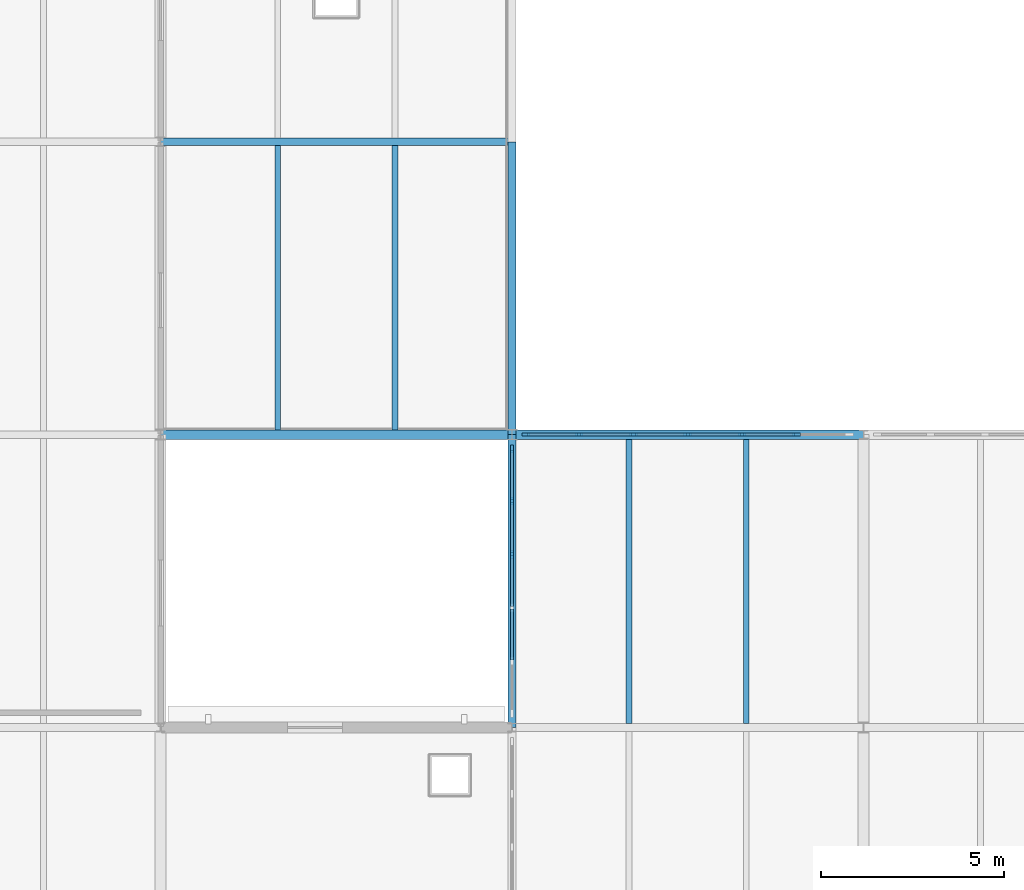
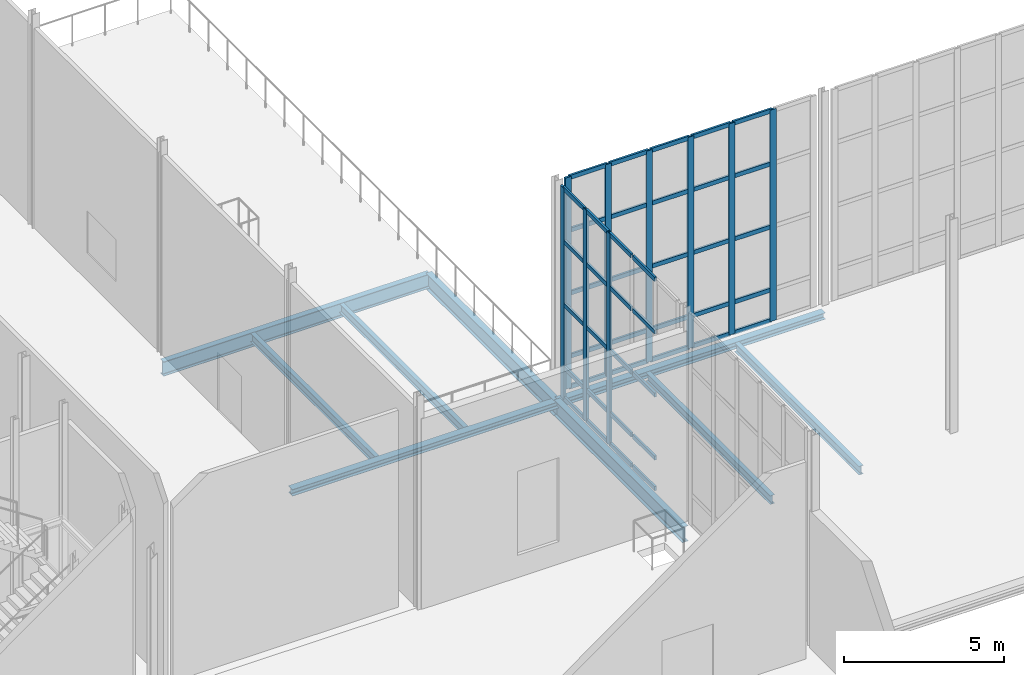
# One storey, part 20 of 73: 54 members, 9 beams, 2 elements without a shape of their own.
"""IFC4 building model written with IfcOpenShell, lengths in metres."""

from ifc_helpers import new_model, si_unit, direction, frame, origin, origin_2d, place, context, subcontext, project, spatial, rectangle, i_section, extrude, material, layer, layer_set, material_profile, profile_set, type_object, element, aggregate, save


model = new_model("IFC4")

# Units and contexts
model_context = context("Model", 3, precision=1e-05, world=origin(), true_north=direction((0.0, 1.0)))
body_context = subcontext(model_context, "Body", "Model", "MODEL_VIEW")
ifc_project = project(units=[si_unit("LENGTHUNIT", "METRE"), si_unit("AREAUNIT", "SQUARE_METRE"), si_unit("VOLUMEUNIT", "CUBIC_METRE"), si_unit("PLANEANGLEUNIT", "RADIAN"), si_unit("MASSUNIT", "GRAM", prefix="KILO")], contexts=[model_context])

# Site, building, storey
site_placement = place(None, origin())
site = spatial("IfcSite", under=ifc_project, at=site_placement, CompositionType="ELEMENT")
building_placement = place(site_placement, origin())
building = spatial("IfcBuilding", under=site, at=building_placement, Name="Alderhovde Museum", CompositionType="ELEMENT")
storey_placement = place(building_placement, frame((0.0, 0.0, 17.39990234375)))
storey = spatial("IfcBuildingStorey", under=building, at=storey_placement, Name="L04", CompositionType="ELEMENT", Elevation=17.39990234375)

# Beams
ifc_material_1 = material(Name="Steel S355J2", Category="steel")
ifc_material_profile_1 = material_profile(ifc_material_1, i_section(OverallWidth=0.2099609375, OverallDepth=0.550048828125, WebThickness=0.010986328125, FlangeThickness=0.01708984375, FilletRadius=0.02392578125, at=origin_2d()), Name="IPE 550")
ifc_profile_set_1 = profile_set([ifc_material_profile_1], Name="Steel S355J2")
beam_type_1 = type_object("IfcBeamType", Name="BM-IPE550", PredefinedType="BEAM", material=ifc_profile_set_1)
beam_1_placement = place(storey_placement, frame((48.0, 96.0, -0.574951171875), z_axis=(1.0, 0.0, 0.0), x_axis=(0.0, 1.0, 0.0)))
element("IfcBeam", 1, at=beam_1_placement, inside=storey, type_object=beam_type_1, Name="L04 Grid Beam Y=96.0 (48.0 TO 57.6)", PredefinedType="BEAM", context=body_context, shape_type="SweptSolid", body=[
    extrude(i_section(OverallWidth=0.2099609375, OverallDepth=0.550048828125, WebThickness=0.010986328125, FlangeThickness=0.01708984375, FilletRadius=0.02392578125, at=origin_2d()), origin(), (0.0, 0.0, 1.0), 9.60009765625),
])
ifc_material_2 = material(Name="Steel S355J2", Category="steel")
ifc_material_profile_2 = material_profile(ifc_material_2, i_section(OverallWidth=0.219970703125, OverallDepth=0.60009765625, WebThickness=0.011962890625, FlangeThickness=0.01904296875, FilletRadius=0.02392578125, at=origin_2d()), Name="IPE 600")
ifc_profile_set_2 = profile_set([ifc_material_profile_2], Name="Steel S355J2")
beam_type_2 = type_object("IfcBeamType", Name="BM-IPE600", PredefinedType="BEAM", material=ifc_profile_set_2)
for number, where, z_axis, x_axis, name in (
    (2, (57.60009765625, 80.0, -0.579833984375), (0.0, 1.0, 0.0), (-1.0, 0.0, 0.0), "L04 Grid Beam X=57.6 (80.0 TO 88.0)"),
    (3, (57.60009765625, 88.0, -0.599853515625), (0.0, 1.0, 0.0), (-1.0, 0.0, 0.0), "L04 Grid Beam X=57.6 (88.0 TO 96.0)"),
):
    element("IfcBeam", number, at=place(storey_placement, frame(where, z_axis=z_axis, x_axis=x_axis)), inside=storey, type_object=beam_type_2, Name=name, PredefinedType="BEAM", context=body_context, shape_type="SweptSolid", body=[
        extrude(i_section(OverallWidth=0.219970703125, OverallDepth=0.60009765625, WebThickness=0.011962890625, FlangeThickness=0.01904296875, FilletRadius=0.02392578125, at=origin_2d()), origin(), (0.0, 0.0, 1.0), 8.0),
    ])

# Curtain wall, members
ifc_material_3 = material(Name="Triple-Glazed Bronze-Anodised Curtain Wall", Category="glass")
ifc_layer_1 = layer(ifc_material_3, 0.219970703125)
ifc_layer_set_1 = layer_set([ifc_layer_1], Name="Triple-Glazed Bronze-Anodised Curtain Wall")
curtain_wall_type_1 = type_object("IfcCurtainWallType", Name="CW-UNIT-890x805", PredefinedType="USERDEFINED", material=ifc_layer_set_1)
curtain_wall_1_placement = place(storey_placement, origin())
curtain_wall_1 = element("IfcCurtainWall", 4, at=curtain_wall_1_placement, inside=storey, type_object=curtain_wall_type_1, Name="L04 Unitised Curtain Wall 78", ObjectType="UNITISED CURTAIN WALL", PredefinedType="USERDEFINED")
ifc_material_4 = material(Name="Bronze-Anodised Aluminium EN AW-6063-T6", Category="aluminium")
ifc_material_profile_3 = material_profile(ifc_material_4, rectangle(XDim=0.074951171875, YDim=0.219970703125, at=origin_2d()), Name="MULLION 75x220")
ifc_profile_set_3 = profile_set([ifc_material_profile_3], Name="Bronze-Anodised Aluminium EN AW-6063-T6")
member_type_1 = type_object("IfcMemberType", Name="CWM-75x220", PredefinedType="MULLION", material=ifc_profile_set_3)
member_1_placement = place(storey_placement, frame((57.987548828125, 88.0, 0.0), z_axis=(0.0, 0.0, 1.0), x_axis=(0.0, 1.0, 0.0)))
member_1 = element("IfcMember", 5, at=member_1_placement, type_object=member_type_1, Name="CW21 mullion 1", PredefinedType="MULLION", context=body_context, shape_type="SweptSolid", body=[
    extrude(rectangle(XDim=0.074951171875, YDim=0.219970703125, at=origin_2d()), origin(), (0.0, 0.0, 1.0), 8.050048828125),
])
member_2_placement = place(storey_placement, frame((59.433349609375, 88.0, 0.0), z_axis=(0.0, 0.0, 1.0), x_axis=(0.0, 1.0, 0.0)))
member_2 = element("IfcMember", 6, at=member_2_placement, type_object=member_type_1, Name="CW21 mullion 2", PredefinedType="MULLION", context=body_context, shape_type="SweptSolid", body=[
    extrude(rectangle(XDim=0.074951171875, YDim=0.219970703125, at=origin_2d()), origin(), (0.0, 0.0, 1.0), 8.050048828125),
])
member_3_placement = place(storey_placement, frame((60.916748046875, 88.0, 0.0), z_axis=(0.0, 0.0, 1.0), x_axis=(0.0, 1.0, 0.0)))
member_3 = element("IfcMember", 7, at=member_3_placement, type_object=member_type_1, Name="CW21 mullion 3", PredefinedType="MULLION", context=body_context, shape_type="SweptSolid", body=[
    extrude(rectangle(XDim=0.074951171875, YDim=0.219970703125, at=origin_2d()), origin(), (0.0, 0.0, 1.0), 8.050048828125),
])
member_4_placement = place(storey_placement, frame((62.39990234375, 88.0, 0.0), z_axis=(0.0, 0.0, 1.0), x_axis=(0.0, 1.0, 0.0)))
member_4 = element("IfcMember", 8, at=member_4_placement, type_object=member_type_1, Name="CW21 mullion 4", PredefinedType="MULLION", context=body_context, shape_type="SweptSolid", body=[
    extrude(rectangle(XDim=0.074951171875, YDim=0.219970703125, at=origin_2d()), origin(), (0.0, 0.0, 1.0), 8.050048828125),
])
member_5_placement = place(storey_placement, frame((63.88330078125, 88.0, 0.0), z_axis=(0.0, 0.0, 1.0), x_axis=(0.0, 1.0, 0.0)))
member_5 = element("IfcMember", 9, at=member_5_placement, type_object=member_type_1, Name="CW21 mullion 5", PredefinedType="MULLION", context=body_context, shape_type="SweptSolid", body=[
    extrude(rectangle(XDim=0.074951171875, YDim=0.219970703125, at=origin_2d()), origin(), (0.0, 0.0, 1.0), 8.050048828125),
])
member_6_placement = place(storey_placement, frame((65.36669921875, 88.0, 0.0), z_axis=(0.0, 0.0, 1.0), x_axis=(0.0, 1.0, 0.0)))
member_6 = element("IfcMember", 10, at=member_6_placement, type_object=member_type_1, Name="CW21 mullion 6", PredefinedType="MULLION", context=body_context, shape_type="SweptSolid", body=[
    extrude(rectangle(XDim=0.074951171875, YDim=0.219970703125, at=origin_2d()), origin(), (0.0, 0.0, 1.0), 8.050048828125),
])

ifc_material_5 = material(Name="Triple-Glazed Bronze-Anodised Curtain Wall", Category="glass")
ifc_layer_2 = layer(ifc_material_5, 0.219970703125)
ifc_layer_set_2 = layer_set([ifc_layer_2], Name="Triple-Glazed Bronze-Anodised Curtain Wall")
curtain_wall_type_2 = type_object("IfcCurtainWallType", Name="CW-STIC-730x805", PredefinedType="USERDEFINED", material=ifc_layer_set_2)
curtain_wall_2_placement = place(storey_placement, origin())
curtain_wall_2 = element("IfcCurtainWall", 11, at=curtain_wall_2_placement, inside=storey, type_object=curtain_wall_type_2, Name="L04 Stick Curtain Wall 90", ObjectType="STICK CURTAIN WALL", PredefinedType="USERDEFINED")
member_7_placement = place(storey_placement, frame((57.60009765625, 84.72998046875, 0.0), z_axis=(0.0, 0.0, 1.0), x_axis=(-1.0, 0.0, 0.0)))
member_7 = element("IfcMember", 12, at=member_7_placement, type_object=member_type_1, Name="CW23 mullion 4", PredefinedType="MULLION", context=body_context, shape_type="SweptSolid", body=[
    extrude(rectangle(XDim=0.074951171875, YDim=0.219970703125, at=origin_2d()), origin(), (0.0, 0.0, 1.0), 8.050048828125),
])
member_8_placement = place(storey_placement, frame((57.60009765625, 86.18994140625, 0.0), z_axis=(0.0, 0.0, 1.0), x_axis=(-1.0, 0.0, 0.0)))
member_8 = element("IfcMember", 13, at=member_8_placement, type_object=member_type_1, Name="CW23 mullion 5", PredefinedType="MULLION", context=body_context, shape_type="SweptSolid", body=[
    extrude(rectangle(XDim=0.074951171875, YDim=0.219970703125, at=origin_2d()), origin(), (0.0, 0.0, 1.0), 8.050048828125),
])
member_9_placement = place(storey_placement, frame((57.60009765625, 87.612548828125, 0.0), z_axis=(0.0, 0.0, 1.0), x_axis=(-1.0, 0.0, 0.0)))
member_9 = element("IfcMember", 14, at=member_9_placement, type_object=member_type_1, Name="CW23 mullion 6", PredefinedType="MULLION", context=body_context, shape_type="SweptSolid", body=[
    extrude(rectangle(XDim=0.074951171875, YDim=0.219970703125, at=origin_2d()), origin(), (0.0, 0.0, 1.0), 8.050048828125),
])

# Member
ifc_material_6 = material(Name="Bronze-Anodised Aluminium EN AW-6063-T6", Category="aluminium")
ifc_material_profile_4 = material_profile(ifc_material_6, rectangle(XDim=0.074951171875, YDim=0.159912109375, at=origin_2d()), Name="TRANSOM 75x160")
ifc_profile_set_4 = profile_set([ifc_material_profile_4], Name="Bronze-Anodised Aluminium EN AW-6063-T6")
member_type_2 = type_object("IfcMemberType", Name="CWT-75x160", PredefinedType="USERDEFINED", material=ifc_profile_set_4)
member_10_placement = place(storey_placement, frame((58.02490234375, 88.0, 0.03759765625), z_axis=(1.0, 0.0, 0.0), x_axis=(0.0, 1.0, 0.0)))
member_10 = element("IfcMember", 15, at=member_10_placement, type_object=member_type_2, Name="CW21 transom 1.1", ObjectType="TRANSOM", PredefinedType="USERDEFINED", context=body_context, shape_type="SweptSolid", body=[
    extrude(rectangle(XDim=0.074951171875, YDim=0.159912109375, at=origin_2d()), origin(), (0.0, 0.0, 1.0), 1.370849609375),
])

member_11_placement = place(storey_placement, frame((58.02490234375, 88.0, 1.2001953125), z_axis=(1.0, 0.0, 0.0), x_axis=(0.0, 1.0, 0.0)))
member_11 = element("IfcMember", 16, at=member_11_placement, type_object=member_type_2, Name="CW21 transom 1.2", ObjectType="TRANSOM", PredefinedType="USERDEFINED", context=body_context, shape_type="SweptSolid", body=[
    extrude(rectangle(XDim=0.074951171875, YDim=0.159912109375, at=origin_2d()), origin(), (0.0, 0.0, 1.0), 1.370849609375),
])

member_12_placement = place(storey_placement, frame((58.02490234375, 88.0, 3.60009765625), z_axis=(1.0, 0.0, 0.0), x_axis=(0.0, 1.0, 0.0)))
member_12 = element("IfcMember", 17, at=member_12_placement, type_object=member_type_2, Name="CW21 transom 1.3", ObjectType="TRANSOM", PredefinedType="USERDEFINED", context=body_context, shape_type="SweptSolid", body=[
    extrude(rectangle(XDim=0.074951171875, YDim=0.159912109375, at=origin_2d()), origin(), (0.0, 0.0, 1.0), 1.370849609375),
])

member_13_placement = place(storey_placement, frame((58.02490234375, 88.0, 6.0), z_axis=(1.0, 0.0, 0.0), x_axis=(0.0, 1.0, 0.0)))
member_13 = element("IfcMember", 18, at=member_13_placement, type_object=member_type_2, Name="CW21 transom 1.4", ObjectType="TRANSOM", PredefinedType="USERDEFINED", context=body_context, shape_type="SweptSolid", body=[
    extrude(rectangle(XDim=0.074951171875, YDim=0.159912109375, at=origin_2d()), origin(), (0.0, 0.0, 1.0), 1.370849609375),
])

member_14_placement = place(storey_placement, frame((58.02490234375, 88.0, 8.0126953125), z_axis=(1.0, 0.0, 0.0), x_axis=(0.0, 1.0, 0.0)))
member_14 = element("IfcMember", 19, at=member_14_placement, type_object=member_type_2, Name="CW21 transom 1.5", ObjectType="TRANSOM", PredefinedType="USERDEFINED", context=body_context, shape_type="SweptSolid", body=[
    extrude(rectangle(XDim=0.074951171875, YDim=0.159912109375, at=origin_2d()), origin(), (0.0, 0.0, 1.0), 1.370849609375),
])

member_15_placement = place(storey_placement, frame((59.470947265625, 88.0, 0.03759765625), z_axis=(1.0, 0.0, 0.0), x_axis=(0.0, 1.0, 0.0)))
member_15 = element("IfcMember", 20, at=member_15_placement, type_object=member_type_2, Name="CW21 transom 2.1", ObjectType="TRANSOM", PredefinedType="USERDEFINED", context=body_context, shape_type="SweptSolid", body=[
    extrude(rectangle(XDim=0.074951171875, YDim=0.159912109375, at=origin_2d()), origin(), (0.0, 0.0, 1.0), 1.408203125),
])

member_16_placement = place(storey_placement, frame((59.470947265625, 88.0, 1.2001953125), z_axis=(1.0, 0.0, 0.0), x_axis=(0.0, 1.0, 0.0)))
member_16 = element("IfcMember", 21, at=member_16_placement, type_object=member_type_2, Name="CW21 transom 2.2", ObjectType="TRANSOM", PredefinedType="USERDEFINED", context=body_context, shape_type="SweptSolid", body=[
    extrude(rectangle(XDim=0.074951171875, YDim=0.159912109375, at=origin_2d()), origin(), (0.0, 0.0, 1.0), 1.408203125),
])

member_17_placement = place(storey_placement, frame((59.470947265625, 88.0, 3.60009765625), z_axis=(1.0, 0.0, 0.0), x_axis=(0.0, 1.0, 0.0)))
member_17 = element("IfcMember", 22, at=member_17_placement, type_object=member_type_2, Name="CW21 transom 2.3", ObjectType="TRANSOM", PredefinedType="USERDEFINED", context=body_context, shape_type="SweptSolid", body=[
    extrude(rectangle(XDim=0.074951171875, YDim=0.159912109375, at=origin_2d()), origin(), (0.0, 0.0, 1.0), 1.408203125),
])

member_18_placement = place(storey_placement, frame((59.470947265625, 88.0, 6.0), z_axis=(1.0, 0.0, 0.0), x_axis=(0.0, 1.0, 0.0)))
member_18 = element("IfcMember", 23, at=member_18_placement, type_object=member_type_2, Name="CW21 transom 2.4", ObjectType="TRANSOM", PredefinedType="USERDEFINED", context=body_context, shape_type="SweptSolid", body=[
    extrude(rectangle(XDim=0.074951171875, YDim=0.159912109375, at=origin_2d()), origin(), (0.0, 0.0, 1.0), 1.408203125),
])

member_19_placement = place(storey_placement, frame((59.470947265625, 88.0, 8.0126953125), z_axis=(1.0, 0.0, 0.0), x_axis=(0.0, 1.0, 0.0)))
member_19 = element("IfcMember", 24, at=member_19_placement, type_object=member_type_2, Name="CW21 transom 2.5", ObjectType="TRANSOM", PredefinedType="USERDEFINED", context=body_context, shape_type="SweptSolid", body=[
    extrude(rectangle(XDim=0.074951171875, YDim=0.159912109375, at=origin_2d()), origin(), (0.0, 0.0, 1.0), 1.408203125),
])

member_20_placement = place(storey_placement, frame((60.9541015625, 88.0, 0.03759765625), z_axis=(1.0, 0.0, 0.0), x_axis=(0.0, 1.0, 0.0)))
member_20 = element("IfcMember", 25, at=member_20_placement, type_object=member_type_2, Name="CW21 transom 3.1", ObjectType="TRANSOM", PredefinedType="USERDEFINED", context=body_context, shape_type="SweptSolid", body=[
    extrude(rectangle(XDim=0.074951171875, YDim=0.159912109375, at=origin_2d()), origin(), (0.0, 0.0, 1.0), 1.408447265625),
])

member_21_placement = place(storey_placement, frame((60.9541015625, 88.0, 1.2001953125), z_axis=(1.0, 0.0, 0.0), x_axis=(0.0, 1.0, 0.0)))
member_21 = element("IfcMember", 26, at=member_21_placement, type_object=member_type_2, Name="CW21 transom 3.2", ObjectType="TRANSOM", PredefinedType="USERDEFINED", context=body_context, shape_type="SweptSolid", body=[
    extrude(rectangle(XDim=0.074951171875, YDim=0.159912109375, at=origin_2d()), origin(), (0.0, 0.0, 1.0), 1.408447265625),
])

member_22_placement = place(storey_placement, frame((60.9541015625, 88.0, 3.60009765625), z_axis=(1.0, 0.0, 0.0), x_axis=(0.0, 1.0, 0.0)))
member_22 = element("IfcMember", 27, at=member_22_placement, type_object=member_type_2, Name="CW21 transom 3.3", ObjectType="TRANSOM", PredefinedType="USERDEFINED", context=body_context, shape_type="SweptSolid", body=[
    extrude(rectangle(XDim=0.074951171875, YDim=0.159912109375, at=origin_2d()), origin(), (0.0, 0.0, 1.0), 1.408447265625),
])

member_23_placement = place(storey_placement, frame((60.9541015625, 88.0, 6.0), z_axis=(1.0, 0.0, 0.0), x_axis=(0.0, 1.0, 0.0)))
member_23 = element("IfcMember", 28, at=member_23_placement, type_object=member_type_2, Name="CW21 transom 3.4", ObjectType="TRANSOM", PredefinedType="USERDEFINED", context=body_context, shape_type="SweptSolid", body=[
    extrude(rectangle(XDim=0.074951171875, YDim=0.159912109375, at=origin_2d()), origin(), (0.0, 0.0, 1.0), 1.408447265625),
])

member_24_placement = place(storey_placement, frame((60.9541015625, 88.0, 8.0126953125), z_axis=(1.0, 0.0, 0.0), x_axis=(0.0, 1.0, 0.0)))
member_24 = element("IfcMember", 29, at=member_24_placement, type_object=member_type_2, Name="CW21 transom 3.5", ObjectType="TRANSOM", PredefinedType="USERDEFINED", context=body_context, shape_type="SweptSolid", body=[
    extrude(rectangle(XDim=0.074951171875, YDim=0.159912109375, at=origin_2d()), origin(), (0.0, 0.0, 1.0), 1.408447265625),
])

member_25_placement = place(storey_placement, frame((62.4375, 88.0, 0.03759765625), z_axis=(1.0, 0.0, 0.0), x_axis=(0.0, 1.0, 0.0)))
member_25 = element("IfcMember", 30, at=member_25_placement, type_object=member_type_2, Name="CW21 transom 4.1", ObjectType="TRANSOM", PredefinedType="USERDEFINED", context=body_context, shape_type="SweptSolid", body=[
    extrude(rectangle(XDim=0.074951171875, YDim=0.159912109375, at=origin_2d()), origin(), (0.0, 0.0, 1.0), 1.408447265625),
])

member_26_placement = place(storey_placement, frame((62.4375, 88.0, 1.2001953125), z_axis=(1.0, 0.0, 0.0), x_axis=(0.0, 1.0, 0.0)))
member_26 = element("IfcMember", 31, at=member_26_placement, type_object=member_type_2, Name="CW21 transom 4.2", ObjectType="TRANSOM", PredefinedType="USERDEFINED", context=body_context, shape_type="SweptSolid", body=[
    extrude(rectangle(XDim=0.074951171875, YDim=0.159912109375, at=origin_2d()), origin(), (0.0, 0.0, 1.0), 1.408447265625),
])

member_27_placement = place(storey_placement, frame((62.4375, 88.0, 3.60009765625), z_axis=(1.0, 0.0, 0.0), x_axis=(0.0, 1.0, 0.0)))
member_27 = element("IfcMember", 32, at=member_27_placement, type_object=member_type_2, Name="CW21 transom 4.3", ObjectType="TRANSOM", PredefinedType="USERDEFINED", context=body_context, shape_type="SweptSolid", body=[
    extrude(rectangle(XDim=0.074951171875, YDim=0.159912109375, at=origin_2d()), origin(), (0.0, 0.0, 1.0), 1.408447265625),
])

member_28_placement = place(storey_placement, frame((62.4375, 88.0, 6.0), z_axis=(1.0, 0.0, 0.0), x_axis=(0.0, 1.0, 0.0)))
member_28 = element("IfcMember", 33, at=member_28_placement, type_object=member_type_2, Name="CW21 transom 4.4", ObjectType="TRANSOM", PredefinedType="USERDEFINED", context=body_context, shape_type="SweptSolid", body=[
    extrude(rectangle(XDim=0.074951171875, YDim=0.159912109375, at=origin_2d()), origin(), (0.0, 0.0, 1.0), 1.408447265625),
])

member_29_placement = place(storey_placement, frame((62.4375, 88.0, 8.0126953125), z_axis=(1.0, 0.0, 0.0), x_axis=(0.0, 1.0, 0.0)))
member_29 = element("IfcMember", 34, at=member_29_placement, type_object=member_type_2, Name="CW21 transom 4.5", ObjectType="TRANSOM", PredefinedType="USERDEFINED", context=body_context, shape_type="SweptSolid", body=[
    extrude(rectangle(XDim=0.074951171875, YDim=0.159912109375, at=origin_2d()), origin(), (0.0, 0.0, 1.0), 1.408447265625),
])

member_30_placement = place(storey_placement, frame((63.9208984375, 88.0, 0.03759765625), z_axis=(1.0, 0.0, 0.0), x_axis=(0.0, 1.0, 0.0)))
member_30 = element("IfcMember", 35, at=member_30_placement, type_object=member_type_2, Name="CW21 transom 5.1", ObjectType="TRANSOM", PredefinedType="USERDEFINED", context=body_context, shape_type="SweptSolid", body=[
    extrude(rectangle(XDim=0.074951171875, YDim=0.159912109375, at=origin_2d()), origin(), (0.0, 0.0, 1.0), 1.408203125),
])

member_31_placement = place(storey_placement, frame((63.9208984375, 88.0, 1.2001953125), z_axis=(1.0, 0.0, 0.0), x_axis=(0.0, 1.0, 0.0)))
member_31 = element("IfcMember", 36, at=member_31_placement, type_object=member_type_2, Name="CW21 transom 5.2", ObjectType="TRANSOM", PredefinedType="USERDEFINED", context=body_context, shape_type="SweptSolid", body=[
    extrude(rectangle(XDim=0.074951171875, YDim=0.159912109375, at=origin_2d()), origin(), (0.0, 0.0, 1.0), 1.408203125),
])

member_32_placement = place(storey_placement, frame((63.9208984375, 88.0, 3.60009765625), z_axis=(1.0, 0.0, 0.0), x_axis=(0.0, 1.0, 0.0)))
member_32 = element("IfcMember", 37, at=member_32_placement, type_object=member_type_2, Name="CW21 transom 5.3", ObjectType="TRANSOM", PredefinedType="USERDEFINED", context=body_context, shape_type="SweptSolid", body=[
    extrude(rectangle(XDim=0.074951171875, YDim=0.159912109375, at=origin_2d()), origin(), (0.0, 0.0, 1.0), 1.408203125),
])

member_33_placement = place(storey_placement, frame((63.9208984375, 88.0, 6.0), z_axis=(1.0, 0.0, 0.0), x_axis=(0.0, 1.0, 0.0)))
member_33 = element("IfcMember", 38, at=member_33_placement, type_object=member_type_2, Name="CW21 transom 5.4", ObjectType="TRANSOM", PredefinedType="USERDEFINED", context=body_context, shape_type="SweptSolid", body=[
    extrude(rectangle(XDim=0.074951171875, YDim=0.159912109375, at=origin_2d()), origin(), (0.0, 0.0, 1.0), 1.408203125),
])

member_34_placement = place(storey_placement, frame((63.9208984375, 88.0, 8.0126953125), z_axis=(1.0, 0.0, 0.0), x_axis=(0.0, 1.0, 0.0)))
member_34 = element("IfcMember", 39, at=member_34_placement, type_object=member_type_2, Name="CW21 transom 5.5", ObjectType="TRANSOM", PredefinedType="USERDEFINED", context=body_context, shape_type="SweptSolid", body=[
    extrude(rectangle(XDim=0.074951171875, YDim=0.159912109375, at=origin_2d()), origin(), (0.0, 0.0, 1.0), 1.408203125),
])

aggregate(curtain_wall_1, [member_1, member_2, member_3, member_4, member_5, member_6, member_10, member_11, member_12, member_13, member_14, member_15, member_16, member_17, member_18, member_19, member_20, member_21, member_22, member_23, member_24, member_25, member_26, member_27, member_28, member_29, member_30, member_31, member_32, member_33, member_34])

member_35_placement = place(storey_placement, frame((57.60009765625, 81.847412109375, 0.03759765625), z_axis=(0.0, 1.0, 0.0), x_axis=(-1.0, 0.0, 0.0)))
member_35 = element("IfcMember", 40, at=member_35_placement, type_object=member_type_2, Name="CW23 transom 2.1", ObjectType="TRANSOM", PredefinedType="USERDEFINED", context=body_context, shape_type="SweptSolid", body=[
    extrude(rectangle(XDim=0.074951171875, YDim=0.159912109375, at=origin_2d()), origin(), (0.0, 0.0, 1.0), 1.385009765625),
])

member_36_placement = place(storey_placement, frame((57.60009765625, 81.847412109375, 1.2001953125), z_axis=(0.0, 1.0, 0.0), x_axis=(-1.0, 0.0, 0.0)))
member_36 = element("IfcMember", 41, at=member_36_placement, type_object=member_type_2, Name="CW23 transom 2.2", ObjectType="TRANSOM", PredefinedType="USERDEFINED", context=body_context, shape_type="SweptSolid", body=[
    extrude(rectangle(XDim=0.074951171875, YDim=0.159912109375, at=origin_2d()), origin(), (0.0, 0.0, 1.0), 1.385009765625),
])

member_37_placement = place(storey_placement, frame((57.60009765625, 81.847412109375, 3.60009765625), z_axis=(0.0, 1.0, 0.0), x_axis=(-1.0, 0.0, 0.0)))
member_37 = element("IfcMember", 42, at=member_37_placement, type_object=member_type_2, Name="CW23 transom 2.3", ObjectType="TRANSOM", PredefinedType="USERDEFINED", context=body_context, shape_type="SweptSolid", body=[
    extrude(rectangle(XDim=0.074951171875, YDim=0.159912109375, at=origin_2d()), origin(), (0.0, 0.0, 1.0), 1.385009765625),
])

member_38_placement = place(storey_placement, frame((57.60009765625, 81.847412109375, 6.0), z_axis=(0.0, 1.0, 0.0), x_axis=(-1.0, 0.0, 0.0)))
member_38 = element("IfcMember", 43, at=member_38_placement, type_object=member_type_2, Name="CW23 transom 2.4", ObjectType="TRANSOM", PredefinedType="USERDEFINED", context=body_context, shape_type="SweptSolid", body=[
    extrude(rectangle(XDim=0.074951171875, YDim=0.159912109375, at=origin_2d()), origin(), (0.0, 0.0, 1.0), 1.385009765625),
])

member_39_placement = place(storey_placement, frame((57.60009765625, 81.847412109375, 8.0126953125), z_axis=(0.0, 1.0, 0.0), x_axis=(-1.0, 0.0, 0.0)))
member_39 = element("IfcMember", 44, at=member_39_placement, type_object=member_type_2, Name="CW23 transom 2.5", ObjectType="TRANSOM", PredefinedType="USERDEFINED", context=body_context, shape_type="SweptSolid", body=[
    extrude(rectangle(XDim=0.074951171875, YDim=0.159912109375, at=origin_2d()), origin(), (0.0, 0.0, 1.0), 1.385009765625),
])

member_40_placement = place(storey_placement, frame((57.60009765625, 83.3076171875, 0.03759765625), z_axis=(0.0, 1.0, 0.0), x_axis=(-1.0, 0.0, 0.0)))
member_40 = element("IfcMember", 45, at=member_40_placement, type_object=member_type_2, Name="CW23 transom 3.1", ObjectType="TRANSOM", PredefinedType="USERDEFINED", context=body_context, shape_type="SweptSolid", body=[
    extrude(rectangle(XDim=0.074951171875, YDim=0.159912109375, at=origin_2d()), origin(), (0.0, 0.0, 1.0), 1.384765625),
])

member_41_placement = place(storey_placement, frame((57.60009765625, 83.3076171875, 1.2001953125), z_axis=(0.0, 1.0, 0.0), x_axis=(-1.0, 0.0, 0.0)))
member_41 = element("IfcMember", 46, at=member_41_placement, type_object=member_type_2, Name="CW23 transom 3.2", ObjectType="TRANSOM", PredefinedType="USERDEFINED", context=body_context, shape_type="SweptSolid", body=[
    extrude(rectangle(XDim=0.074951171875, YDim=0.159912109375, at=origin_2d()), origin(), (0.0, 0.0, 1.0), 1.384765625),
])

member_42_placement = place(storey_placement, frame((57.60009765625, 83.3076171875, 3.60009765625), z_axis=(0.0, 1.0, 0.0), x_axis=(-1.0, 0.0, 0.0)))
member_42 = element("IfcMember", 47, at=member_42_placement, type_object=member_type_2, Name="CW23 transom 3.3", ObjectType="TRANSOM", PredefinedType="USERDEFINED", context=body_context, shape_type="SweptSolid", body=[
    extrude(rectangle(XDim=0.074951171875, YDim=0.159912109375, at=origin_2d()), origin(), (0.0, 0.0, 1.0), 1.384765625),
])

member_43_placement = place(storey_placement, frame((57.60009765625, 83.3076171875, 6.0), z_axis=(0.0, 1.0, 0.0), x_axis=(-1.0, 0.0, 0.0)))
member_43 = element("IfcMember", 48, at=member_43_placement, type_object=member_type_2, Name="CW23 transom 3.4", ObjectType="TRANSOM", PredefinedType="USERDEFINED", context=body_context, shape_type="SweptSolid", body=[
    extrude(rectangle(XDim=0.074951171875, YDim=0.159912109375, at=origin_2d()), origin(), (0.0, 0.0, 1.0), 1.384765625),
])

member_44_placement = place(storey_placement, frame((57.60009765625, 83.3076171875, 8.0126953125), z_axis=(0.0, 1.0, 0.0), x_axis=(-1.0, 0.0, 0.0)))
member_44 = element("IfcMember", 49, at=member_44_placement, type_object=member_type_2, Name="CW23 transom 3.5", ObjectType="TRANSOM", PredefinedType="USERDEFINED", context=body_context, shape_type="SweptSolid", body=[
    extrude(rectangle(XDim=0.074951171875, YDim=0.159912109375, at=origin_2d()), origin(), (0.0, 0.0, 1.0), 1.384765625),
])

member_45_placement = place(storey_placement, frame((57.60009765625, 84.767578125, 0.03759765625), z_axis=(0.0, 1.0, 0.0), x_axis=(-1.0, 0.0, 0.0)))
member_45 = element("IfcMember", 50, at=member_45_placement, type_object=member_type_2, Name="CW23 transom 4.1", ObjectType="TRANSOM", PredefinedType="USERDEFINED", context=body_context, shape_type="SweptSolid", body=[
    extrude(rectangle(XDim=0.074951171875, YDim=0.159912109375, at=origin_2d()), origin(), (0.0, 0.0, 1.0), 1.385009765625),
])

member_46_placement = place(storey_placement, frame((57.60009765625, 84.767578125, 1.2001953125), z_axis=(0.0, 1.0, 0.0), x_axis=(-1.0, 0.0, 0.0)))
member_46 = element("IfcMember", 51, at=member_46_placement, type_object=member_type_2, Name="CW23 transom 4.2", ObjectType="TRANSOM", PredefinedType="USERDEFINED", context=body_context, shape_type="SweptSolid", body=[
    extrude(rectangle(XDim=0.074951171875, YDim=0.159912109375, at=origin_2d()), origin(), (0.0, 0.0, 1.0), 1.385009765625),
])

member_47_placement = place(storey_placement, frame((57.60009765625, 84.767578125, 3.60009765625), z_axis=(0.0, 1.0, 0.0), x_axis=(-1.0, 0.0, 0.0)))
member_47 = element("IfcMember", 52, at=member_47_placement, type_object=member_type_2, Name="CW23 transom 4.3", ObjectType="TRANSOM", PredefinedType="USERDEFINED", context=body_context, shape_type="SweptSolid", body=[
    extrude(rectangle(XDim=0.074951171875, YDim=0.159912109375, at=origin_2d()), origin(), (0.0, 0.0, 1.0), 1.385009765625),
])

member_48_placement = place(storey_placement, frame((57.60009765625, 84.767578125, 6.0), z_axis=(0.0, 1.0, 0.0), x_axis=(-1.0, 0.0, 0.0)))
member_48 = element("IfcMember", 53, at=member_48_placement, type_object=member_type_2, Name="CW23 transom 4.4", ObjectType="TRANSOM", PredefinedType="USERDEFINED", context=body_context, shape_type="SweptSolid", body=[
    extrude(rectangle(XDim=0.074951171875, YDim=0.159912109375, at=origin_2d()), origin(), (0.0, 0.0, 1.0), 1.385009765625),
])

member_49_placement = place(storey_placement, frame((57.60009765625, 84.767578125, 8.0126953125), z_axis=(0.0, 1.0, 0.0), x_axis=(-1.0, 0.0, 0.0)))
member_49 = element("IfcMember", 54, at=member_49_placement, type_object=member_type_2, Name="CW23 transom 4.5", ObjectType="TRANSOM", PredefinedType="USERDEFINED", context=body_context, shape_type="SweptSolid", body=[
    extrude(rectangle(XDim=0.074951171875, YDim=0.159912109375, at=origin_2d()), origin(), (0.0, 0.0, 1.0), 1.385009765625),
])

member_50_placement = place(storey_placement, frame((57.60009765625, 86.2275390625, 0.03759765625), z_axis=(0.0, 1.0, 0.0), x_axis=(-1.0, 0.0, 0.0)))
member_50 = element("IfcMember", 55, at=member_50_placement, type_object=member_type_2, Name="CW23 transom 5.1", ObjectType="TRANSOM", PredefinedType="USERDEFINED", context=body_context, shape_type="SweptSolid", body=[
    extrude(rectangle(XDim=0.074951171875, YDim=0.159912109375, at=origin_2d()), origin(), (0.0, 0.0, 1.0), 1.347412109375),
])

member_51_placement = place(storey_placement, frame((57.60009765625, 86.2275390625, 1.2001953125), z_axis=(0.0, 1.0, 0.0), x_axis=(-1.0, 0.0, 0.0)))
member_51 = element("IfcMember", 56, at=member_51_placement, type_object=member_type_2, Name="CW23 transom 5.2", ObjectType="TRANSOM", PredefinedType="USERDEFINED", context=body_context, shape_type="SweptSolid", body=[
    extrude(rectangle(XDim=0.074951171875, YDim=0.159912109375, at=origin_2d()), origin(), (0.0, 0.0, 1.0), 1.347412109375),
])

member_52_placement = place(storey_placement, frame((57.60009765625, 86.2275390625, 3.60009765625), z_axis=(0.0, 1.0, 0.0), x_axis=(-1.0, 0.0, 0.0)))
member_52 = element("IfcMember", 57, at=member_52_placement, type_object=member_type_2, Name="CW23 transom 5.3", ObjectType="TRANSOM", PredefinedType="USERDEFINED", context=body_context, shape_type="SweptSolid", body=[
    extrude(rectangle(XDim=0.074951171875, YDim=0.159912109375, at=origin_2d()), origin(), (0.0, 0.0, 1.0), 1.347412109375),
])

member_53_placement = place(storey_placement, frame((57.60009765625, 86.2275390625, 6.0), z_axis=(0.0, 1.0, 0.0), x_axis=(-1.0, 0.0, 0.0)))
member_53 = element("IfcMember", 58, at=member_53_placement, type_object=member_type_2, Name="CW23 transom 5.4", ObjectType="TRANSOM", PredefinedType="USERDEFINED", context=body_context, shape_type="SweptSolid", body=[
    extrude(rectangle(XDim=0.074951171875, YDim=0.159912109375, at=origin_2d()), origin(), (0.0, 0.0, 1.0), 1.347412109375),
])

member_54_placement = place(storey_placement, frame((57.60009765625, 86.2275390625, 8.0126953125), z_axis=(0.0, 1.0, 0.0), x_axis=(-1.0, 0.0, 0.0)))
member_54 = element("IfcMember", 59, at=member_54_placement, type_object=member_type_2, Name="CW23 transom 5.5", ObjectType="TRANSOM", PredefinedType="USERDEFINED", context=body_context, shape_type="SweptSolid", body=[
    extrude(rectangle(XDim=0.074951171875, YDim=0.159912109375, at=origin_2d()), origin(), (0.0, 0.0, 1.0), 1.347412109375),
])

aggregate(curtain_wall_2, [member_7, member_8, member_9, member_35, member_36, member_37, member_38, member_39, member_40, member_41, member_42, member_43, member_44, member_45, member_46, member_47, member_48, member_49, member_50, member_51, member_52, member_53, member_54])

# Beams
ifc_material_7 = material(Name="Steel S355J2", Category="steel")
ifc_material_profile_5 = material_profile(ifc_material_7, i_section(OverallWidth=0.159912109375, OverallDepth=0.330078125, WebThickness=0.007568359375, FlangeThickness=0.011474609375, FilletRadius=0.01806640625, at=origin_2d()), Name="IPE 330")
ifc_profile_set_5 = profile_set([ifc_material_profile_5], Name="Steel S355J2")
beam_type_3 = type_object("IfcBeamType", Name="JST-IPE330", PredefinedType="JOIST", material=ifc_profile_set_5)
for number, where, z_axis, x_axis, name in (
    (60, (51.199951171875, 88.1298828125, -0.46484375), (0.0, 1.0, 0.0), (-1.0, 0.0, 0.0), "L04 Composite Joist X=51.2 (88.0 TO 96.0)"),
    (61, (54.39990234375, 88.1298828125, -0.46484375), (0.0, 1.0, 0.0), (-1.0, 0.0, 0.0), "L04 Composite Joist X=54.4 (88.0 TO 96.0)"),
    (62, (60.800048828125, 80.10498046875, -0.44482421875), (0.0, 1.0, 0.0), (-1.0, 0.0, 0.0), "L04 Composite Joist X=60.8 (80.0 TO 88.0)"),
    (63, (64.0, 80.10498046875, -0.44482421875), (0.0, 1.0, 0.0), (-1.0, 0.0, 0.0), "L04 Composite Joist X=64.0 (80.0 TO 88.0)"),
):
    element("IfcBeam", number, at=place(storey_placement, frame(where, z_axis=z_axis, x_axis=x_axis)), inside=storey, type_object=beam_type_3, Name=name, PredefinedType="JOIST", context=body_context, shape_type="SweptSolid", body=[
        extrude(i_section(OverallWidth=0.159912109375, OverallDepth=0.330078125, WebThickness=0.007568359375, FlangeThickness=0.011474609375, FilletRadius=0.01806640625, at=origin_2d()), origin(), (0.0, 0.0, 1.0), 7.76513671875),
    ])
ifc_material_8 = material(Name="Steel S355J2", Category="steel")
ifc_material_profile_6 = material_profile(ifc_material_8, i_section(OverallWidth=0.260009765625, OverallDepth=0.25, WebThickness=0.007568359375, FlangeThickness=0.012451171875, FilletRadius=0.02392578125, at=origin_2d()), Name="HEA 260")
ifc_profile_set_6 = profile_set([ifc_material_profile_6], Name="Steel S355J2")
beam_type_4 = type_object("IfcBeamType", Name="SPD-HEA260", PredefinedType="SPANDREL", material=ifc_profile_set_6)
beam_2_placement = place(storey_placement, frame((48.0, 88.0, -0.4248046875), z_axis=(1.0, 0.0, 0.0), x_axis=(0.0, 1.0, 0.0)))
element("IfcBeam", 64, at=beam_2_placement, inside=storey, type_object=beam_type_4, Name="L04 Grid Beam Y=88.0 (48.0 TO 57.6)", PredefinedType="SPANDREL", context=body_context, shape_type="SweptSolid", body=[
    extrude(i_section(OverallWidth=0.260009765625, OverallDepth=0.25, WebThickness=0.007568359375, FlangeThickness=0.012451171875, FilletRadius=0.02392578125, at=origin_2d()), origin(), (0.0, 0.0, 1.0), 9.60009765625),
])
beam_3_placement = place(storey_placement, frame((57.60009765625, 88.0, -0.40478515625), z_axis=(1.0, 0.0, 0.0), x_axis=(0.0, 1.0, 0.0)))
element("IfcBeam", 65, at=beam_3_placement, inside=storey, type_object=beam_type_4, Name="L04 Grid Beam Y=88.0 (57.6 TO 67.2)", PredefinedType="SPANDREL", context=body_context, shape_type="SweptSolid", body=[
    extrude(i_section(OverallWidth=0.260009765625, OverallDepth=0.25, WebThickness=0.007568359375, FlangeThickness=0.012451171875, FilletRadius=0.02392578125, at=origin_2d()), origin(), (0.0, 0.0, 1.0), 9.599853515625),
])

save(model, "model.ifc")
